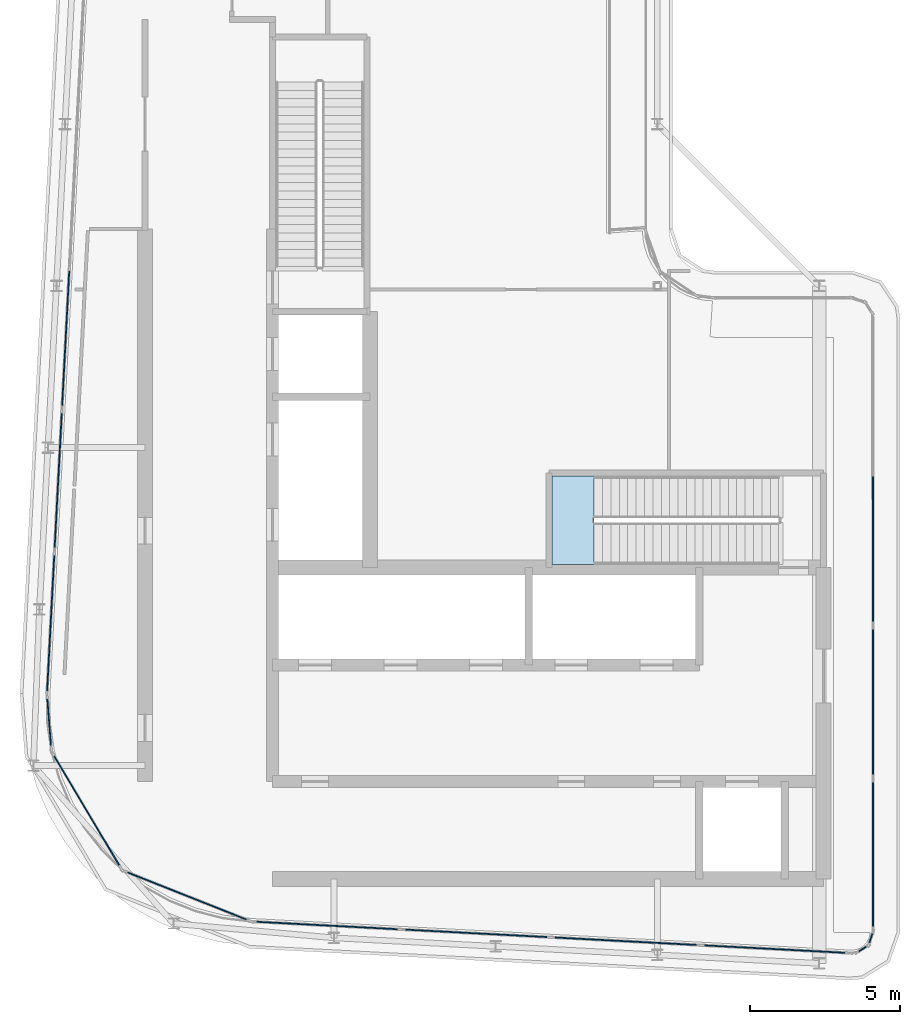
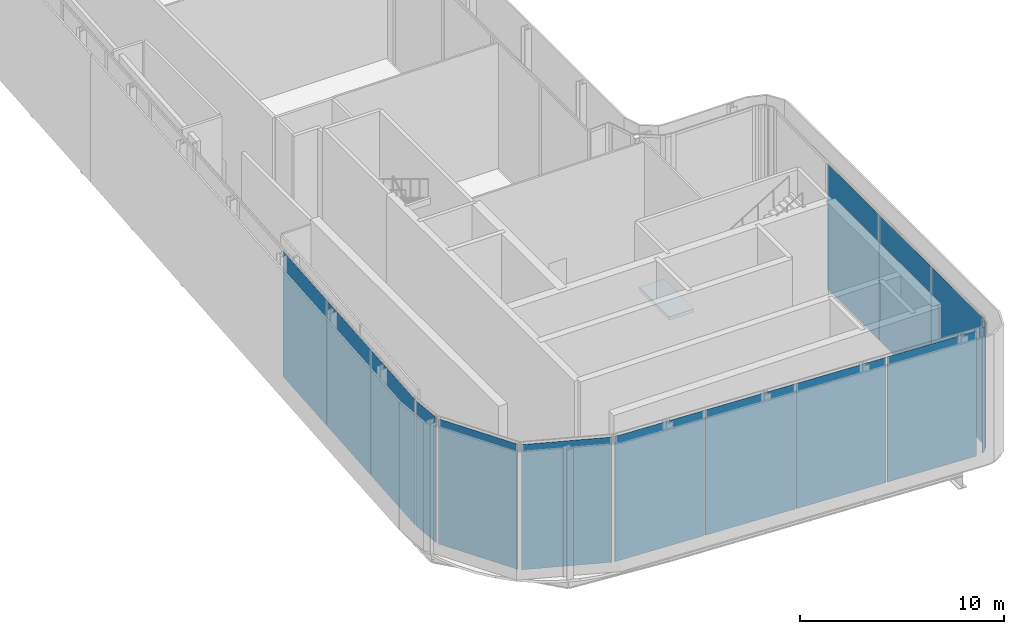
# One storey, part 11 of 23: 15 plates, 1 slab, 9 elements without a shape of their own.
"""IFC4 building model written with IfcOpenShell, lengths in metres."""

from ifc_helpers import new_model, si_unit, direction, frame, origin, origin_2d, place, context, subcontext, project, spatial, polyline, rectangle, outline, extrude, material, layer, layer_set, type_object, element, aggregate, save


model = new_model("IFC4")

# Units and contexts
model_context = context("Model", 3, precision=1e-05, world=origin(), true_north=direction((0.0, 1.0)))
body_context = subcontext(model_context, "Body", "Model", "MODEL_VIEW")
ifc_project = project(units=[si_unit("LENGTHUNIT", "METRE"), si_unit("AREAUNIT", "SQUARE_METRE"), si_unit("VOLUMEUNIT", "CUBIC_METRE"), si_unit("PLANEANGLEUNIT", "RADIAN"), si_unit("MASSUNIT", "GRAM", prefix="KILO")], contexts=[model_context])

# Site, building, storey
site_placement = place(None, origin())
site = spatial("IfcSite", under=ifc_project, at=site_placement, CompositionType="ELEMENT")
building_placement = place(site_placement, origin())
building = spatial("IfcBuilding", under=site, at=building_placement, Name="Kheshtan School and Residences Tower", CompositionType="ELEMENT")
storey_placement = place(building_placement, frame((0.0, 0.0, 389.0)))
storey = spatial("IfcBuildingStorey", under=building, at=storey_placement, Name="L92", CompositionType="ELEMENT", Elevation=389.0)

# Curtain wall, plates
ifc_material_1 = material(Name="Clear low-e glass in thermally broken aluminium frame", Category="aluminium")
ifc_layer_1 = layer(ifc_material_1, 0.25)
ifc_layer_set_1 = layer_set([ifc_layer_1], Name="Curtain wall CW-K")
curtain_wall_type = type_object("IfcCurtainWallType", Name="Curtain wall CW-K", PredefinedType="NOTDEFINED", material=ifc_layer_set_1)
curtain_wall_1_placement = place(storey_placement, origin())
curtain_wall_1 = element("IfcCurtainWall", 1, at=curtain_wall_1_placement, inside=storey, type_object=curtain_wall_type, Name="Curtain wall CWK3c", PredefinedType="NOTDEFINED")
ifc_layer_2 = layer(ifc_material_1, 0.0380859375)
ifc_layer_set_2 = layer_set([ifc_layer_2], Name="CW-K glass panel")
plate_type = type_object("IfcPlateType", Name="CW-K glass panel", PredefinedType="CURTAIN_PANEL", material=ifc_layer_set_2)
plate_1_placement = place(storey_placement, frame((54.800048828125, 36.81396484375, 0.0), z_axis=(0.0, 0.0, 1.0), x_axis=(0.0, -1.0, 0.0)))
plate_1 = element("IfcPlate", 2, at=plate_1_placement, type_object=plate_type, Name="CWK3c panel 2.1", PredefinedType="CURTAIN_PANEL", context=body_context, shape_type="SweptSolid", body=[
    extrude(rectangle(XDim=5.0439453125, YDim=0.0380859375, at=origin_2d()), origin(), (0.0, 0.0, 1.0), 7.489990234375),
])
plate_2_placement = place(storey_placement, frame((54.800048828125, 31.7099609375, 0.0), z_axis=(0.0, 0.0, 1.0), x_axis=(0.0, -1.0, 0.0)))
plate_2 = element("IfcPlate", 3, at=plate_2_placement, type_object=plate_type, Name="CWK3c panel 3.1", PredefinedType="CURTAIN_PANEL", context=body_context, shape_type="SweptSolid", body=[
    extrude(rectangle(XDim=5.0439453125, YDim=0.0380859375, at=origin_2d()), origin(), (0.0, 0.0, 1.0), 7.489990234375),
])
plate_3_placement = place(storey_placement, frame((54.800048828125, 26.62109375, 0.0), z_axis=(0.0, 0.0, 1.0), x_axis=(0.0, -1.0, 0.0)))
plate_3 = element("IfcPlate", 4, at=plate_3_placement, type_object=plate_type, Name="CWK3c panel 4.1", PredefinedType="CURTAIN_PANEL", context=body_context, shape_type="SweptSolid", body=[
    extrude(rectangle(XDim=5.013916015625, YDim=0.0380859375, at=origin_2d()), origin(), (0.0, 0.0, 1.0), 7.489990234375),
])
aggregate(curtain_wall_1, [plate_1, plate_2, plate_3])

# Curtain wall, plate
curtain_wall_2_placement = place(storey_placement, origin())
curtain_wall_2 = element("IfcCurtainWall", 5, at=curtain_wall_2_placement, inside=storey, type_object=curtain_wall_type, Name="Curtain wall CWK4a", PredefinedType="NOTDEFINED")
plate_4_placement = place(storey_placement, frame((54.72900390625, 23.821044921875, 0.0), z_axis=(0.0, 0.0, 1.0), x_axis=(-0.310575339699, -0.950548766961, 0.0)))
plate_4 = element("IfcPlate", 6, at=plate_4_placement, type_object=plate_type, Name="CWK4a panel 1.1", PredefinedType="CURTAIN_PANEL", context=body_context, shape_type="SweptSolid", body=[
    extrude(rectangle(XDim=0.304931640625, YDim=0.0380859375, at=origin_2d()), origin(), (0.0, 0.0, 1.0), 7.489990234375),
])
aggregate(curtain_wall_2, [plate_4])

curtain_wall_3_placement = place(storey_placement, origin())
curtain_wall_3 = element("IfcCurtainWall", 7, at=curtain_wall_3_placement, inside=storey, type_object=curtain_wall_type, Name="Curtain wall CWK5b", PredefinedType="NOTDEFINED")
plate_5_placement = place(storey_placement, frame((54.45068359375, 23.45947265625, 0.0), z_axis=(0.0, 0.0, 1.0), x_axis=(-0.849678775936, -0.527300652118, 0.0)))
plate_5 = element("IfcPlate", 8, at=plate_5_placement, type_object=plate_type, Name="CWK5b panel 1.1", PredefinedType="CURTAIN_PANEL", context=body_context, shape_type="SweptSolid", body=[
    extrude(rectangle(XDim=0.280029296875, YDim=0.0380859375, at=origin_2d()), origin(), (0.0, 0.0, 1.0), 7.489990234375),
])
aggregate(curtain_wall_3, [plate_5])

# Curtain wall, plates
curtain_wall_4_placement = place(storey_placement, origin())
curtain_wall_4 = element("IfcCurtainWall", 9, at=curtain_wall_4_placement, inside=storey, type_object=curtain_wall_type, Name="Curtain wall CWK6c", PredefinedType="NOTDEFINED")
plate_6_placement = place(storey_placement, frame((51.521240234375, 23.45751953125, 0.0), z_axis=(0.0, 0.0, 1.0), x_axis=(-0.998615618471, 0.052600822678, 0.0)))
plate_6 = element("IfcPlate", 10, at=plate_6_placement, type_object=plate_type, Name="CWK6c panel 1.1", PredefinedType="CURTAIN_PANEL", context=body_context, shape_type="SweptSolid", body=[
    extrude(rectangle(XDim=4.909912109375, YDim=0.0380859375, at=origin_2d()), origin(), (0.0, 0.0, 1.0), 7.489990234375),
])
plate_7_placement = place(storey_placement, frame((46.543212890625, 23.7197265625, 0.0), z_axis=(0.0, 0.0, 1.0), x_axis=(-0.998615618471, 0.052600822678, 0.0)))
plate_7 = element("IfcPlate", 11, at=plate_7_placement, type_object=plate_type, Name="CWK6c panel 2.1", PredefinedType="CURTAIN_PANEL", context=body_context, shape_type="SweptSolid", body=[
    extrude(rectangle(XDim=4.93994140625, YDim=0.0380859375, at=origin_2d()), origin(), (0.0, 0.0, 1.0), 7.489990234375),
])
plate_8_placement = place(storey_placement, frame((41.55029296875, 23.982666015625, 0.0), z_axis=(0.0, 0.0, 1.0), x_axis=(-0.998615618471, 0.052600822678, 0.0)))
plate_8 = element("IfcPlate", 12, at=plate_8_placement, type_object=plate_type, Name="CWK6c panel 3.1", PredefinedType="CURTAIN_PANEL", context=body_context, shape_type="SweptSolid", body=[
    extrude(rectangle(XDim=4.93994140625, YDim=0.0380859375, at=origin_2d()), origin(), (0.0, 0.0, 1.0), 7.489990234375),
])
plate_9_placement = place(storey_placement, frame((36.572265625, 24.244873046875, 0.0), z_axis=(0.0, 0.0, 1.0), x_axis=(-0.998615618471, 0.052600822678, 0.0)))
plate_9 = element("IfcPlate", 13, at=plate_9_placement, type_object=plate_type, Name="CWK6c panel 4.1", PredefinedType="CURTAIN_PANEL", context=body_context, shape_type="SweptSolid", body=[
    extrude(rectangle(XDim=4.909912109375, YDim=0.0380859375, at=origin_2d()), origin(), (0.0, 0.0, 1.0), 7.489990234375),
])
aggregate(curtain_wall_4, [plate_6, plate_7, plate_8, plate_9])

# Curtain wall, plate
curtain_wall_5_placement = place(storey_placement, origin())
curtain_wall_5 = element("IfcCurtainWall", 14, at=curtain_wall_5_placement, inside=storey, type_object=curtain_wall_type, Name="Curtain wall CWK7a", PredefinedType="NOTDEFINED")
plate_10_placement = place(storey_placement, frame((31.89501953125, 25.2314453125, 0.0), z_axis=(0.0, 0.0, 1.0), x_axis=(-0.929389950531, 0.369099336022, 0.0)))
plate_10 = element("IfcPlate", 15, at=plate_10_placement, type_object=plate_type, Name="CWK7a panel 1.1", PredefinedType="CURTAIN_PANEL", context=body_context, shape_type="SweptSolid", body=[
    extrude(rectangle(XDim=4.47216796875, YDim=0.0380859375, at=origin_2d()), origin(), (0.0, 0.0, 1.0), 7.489990234375),
])
aggregate(curtain_wall_5, [plate_10])

curtain_wall_6_placement = place(storey_placement, origin())
curtain_wall_6 = element("IfcCurtainWall", 16, at=curtain_wall_6_placement, inside=storey, type_object=curtain_wall_type, Name="Curtain wall CWK8a", PredefinedType="NOTDEFINED")
plate_11_placement = place(storey_placement, frame((28.546142578125, 28.081787109375, 0.0), z_axis=(0.0, 0.0, 1.0), x_axis=(-0.511075392878, 0.85953588802, 0.0)))
plate_11 = element("IfcPlate", 17, at=plate_11_placement, type_object=plate_type, Name="CWK8a panel 1.1", PredefinedType="CURTAIN_PANEL", context=body_context, shape_type="SweptSolid", body=[
    extrude(rectangle(XDim=4.44287109375, YDim=0.0380859375, at=origin_2d()), origin(), (0.0, 0.0, 1.0), 7.489990234375),
])
aggregate(curtain_wall_6, [plate_11])

curtain_wall_7_placement = place(storey_placement, origin())
curtain_wall_7 = element("IfcCurtainWall", 18, at=curtain_wall_7_placement, inside=storey, type_object=curtain_wall_type, Name="Curtain wall CWK9a", PredefinedType="NOTDEFINED")
plate_12_placement = place(storey_placement, frame((27.293212890625, 31.024658203125, 0.0), z_axis=(0.0, 0.0, 1.0), x_axis=(-0.077549452299, 0.996988506678, 0.0)))
plate_12 = element("IfcPlate", 19, at=plate_12_placement, type_object=plate_type, Name="CWK9a panel 1.1", PredefinedType="CURTAIN_PANEL", context=body_context, shape_type="SweptSolid", body=[
    extrude(rectangle(XDim=1.7626953125, YDim=0.0380859375, at=origin_2d()), origin(), (0.0, 0.0, 1.0), 7.489990234375),
])
aggregate(curtain_wall_7, [plate_12])

# Curtain wall, plates
curtain_wall_8_placement = place(storey_placement, origin())
curtain_wall_8 = element("IfcCurtainWall", 20, at=curtain_wall_8_placement, inside=storey, type_object=curtain_wall_type, Name="Curtain wall CWK10a", PredefinedType="NOTDEFINED")
plate_13_placement = place(storey_placement, frame((27.343994140625, 34.3310546875, 0.0), z_axis=(0.0, 0.0, 1.0), x_axis=(0.05256513568, 0.998617497599, 0.0)))
plate_13 = element("IfcPlate", 21, at=plate_13_placement, type_object=plate_type, Name="CWK10a panel 1.1", PredefinedType="CURTAIN_PANEL", context=body_context, shape_type="SweptSolid", body=[
    extrude(rectangle(XDim=4.741455078125, YDim=0.0380859375, at=origin_2d()), origin(), (0.0, 0.0, 1.0), 7.489990234375),
])
plate_14_placement = place(storey_placement, frame((27.595458984375, 39.1044921875, 0.0), z_axis=(0.0, 0.0, 1.0), x_axis=(0.05256513568, 0.998617497599, 0.0)))
plate_14 = element("IfcPlate", 22, at=plate_14_placement, type_object=plate_type, Name="CWK10a panel 2.1", PredefinedType="CURTAIN_PANEL", context=body_context, shape_type="SweptSolid", body=[
    extrude(rectangle(XDim=4.69873046875, YDim=0.0380859375, at=origin_2d()), origin(), (0.0, 0.0, 1.0), 7.489990234375),
])
plate_15_placement = place(storey_placement, frame((27.845458984375, 43.856689453125, 0.0), z_axis=(0.0, 0.0, 1.0), x_axis=(0.05256513568, 0.998617497599, 0.0)))
plate_15 = element("IfcPlate", 23, at=plate_15_placement, type_object=plate_type, Name="CWK10a panel 3.1", PredefinedType="CURTAIN_PANEL", context=body_context, shape_type="SweptSolid", body=[
    extrude(rectangle(XDim=4.69873046875, YDim=0.0380859375, at=origin_2d()), origin(), (0.0, 0.0, 1.0), 7.489990234375),
])
aggregate(curtain_wall_8, [plate_13, plate_14, plate_15])

# Stair, slab
ifc_material_2 = material(Name="Concrete C40/50", Category="concrete")
stair_type = type_object("IfcStairType", Name="Exit stair, half-turn", PredefinedType="HALF_TURN_STAIR", material=ifc_material_2)
stair_placement = place(storey_placement, origin())
stair = element("IfcStair", 24, at=stair_placement, inside=storey, type_object=stair_type, Name="L92 Protected Exit Stair ST1", PredefinedType="HALF_TURN_STAIR")
ifc_layer_3 = layer(ifc_material_2, 0.199951171875)
ifc_layer_set_3 = layer_set([ifc_layer_3], Name="Stair landing 200 Concrete C40/50")
slab_type = type_object("IfcSlabType", Name="Stair landing 200 Concrete C40/50", PredefinedType="LANDING", material=ifc_layer_set_3)
slab_placement = place(storey_placement, frame((0.0, 0.0, 3.699951171875)))
slab = element("IfcSlab", 25, at=slab_placement, type_object=slab_type, Name="ST1 landing 1", PredefinedType="LANDING", context=body_context, shape_type="SweptSolid", body=[
    extrude(outline(polyline([(45.489990234375, 39.25), (44.090087890625, 39.25), (44.090087890625, 36.300048828125), (45.489990234375, 36.300048828125), (45.489990234375, 39.25)])), origin(), (0.0, 0.0, 1.0), 0.199951171875),
])
aggregate(stair, [slab])

save(model, "model.ifc")
